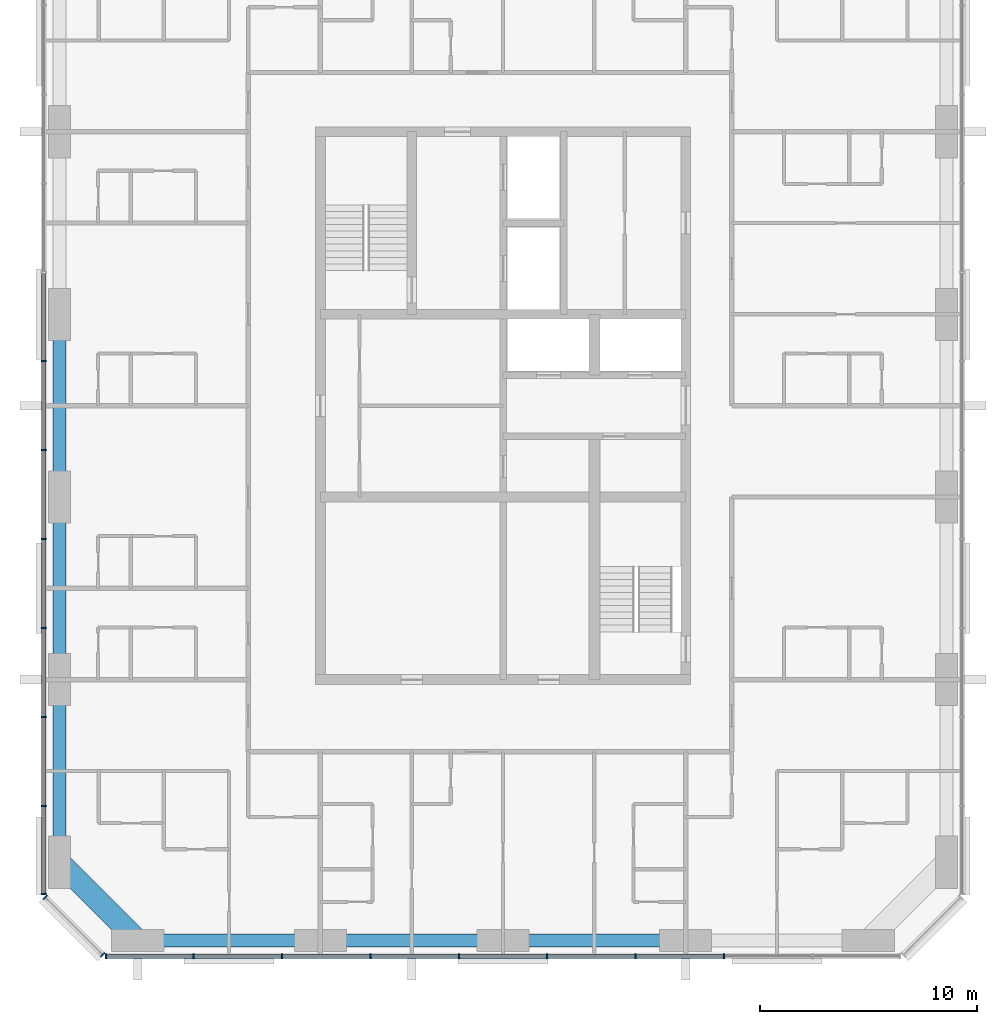
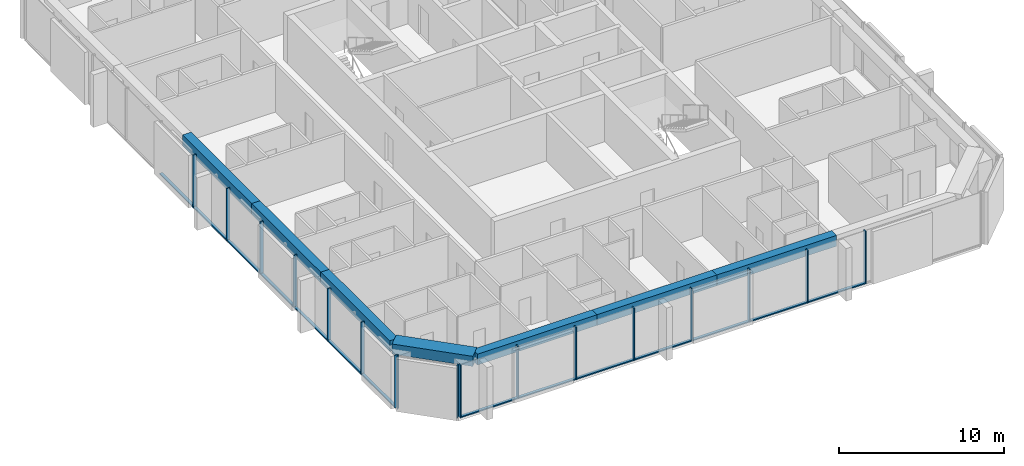
# One storey, part 2 of 13: 31 members, 7 beams, 3 elements without a shape of their own.
"""IFC4 building model written with IfcOpenShell, lengths in metres."""

from ifc_helpers import new_model, si_unit, direction, frame, origin, origin_2d, place, context, subcontext, project, spatial, rectangle, extrude, material, material_profile, profile_set, type_object, element, aggregate, save


model = new_model("IFC4")

# Units and contexts
model_context = context("Model", 3, precision=1e-05, world=origin(), true_north=direction((0.0, 1.0)))
body_context = subcontext(model_context, "Body", "Model", "MODEL_VIEW")
ifc_project = project(units=[si_unit("LENGTHUNIT", "METRE"), si_unit("AREAUNIT", "SQUARE_METRE"), si_unit("VOLUMEUNIT", "CUBIC_METRE"), si_unit("PLANEANGLEUNIT", "RADIAN"), si_unit("MASSUNIT", "GRAM", prefix="KILO")], contexts=[model_context])

# Site, building, storey
site_placement = place(None, origin())
site = spatial("IfcSite", under=ifc_project, at=site_placement, CompositionType="ELEMENT")
building_placement = place(site_placement, origin())
building = spatial("IfcBuilding", under=site, at=building_placement, Name="Dunama Terrace Hotel", CompositionType="ELEMENT")
storey_placement = place(building_placement, frame((0.0, 0.0, 280.199951171875)))
storey = spatial("IfcBuildingStorey", under=building, at=storey_placement, Name="L72", CompositionType="ELEMENT", Elevation=280.199951171875)

# Curtain wall, members
ifc_material_1 = material(Name="Aluminium curtain wall system", Category="aluminium")
curtain_wall_type = type_object("IfcCurtainWallType", Name="Unitised fritted glass wall CW-D", PredefinedType="NOTDEFINED", material=ifc_material_1)
curtain_wall_1_placement = place(storey_placement, origin())
curtain_wall_1 = element("IfcCurtainWall", 1, at=curtain_wall_1_placement, inside=storey, type_object=curtain_wall_type, Name="Unitised fritted glass wall CW-D L72", PredefinedType="NOTDEFINED")
ifc_material_2 = material(Name="Aluminium mullion", Category="aluminium")
ifc_material_profile_1 = material_profile(ifc_material_2, rectangle(XDim=0.070068359375, YDim=0.239990234375, at=origin_2d()), Name="CWD MULLION 70X240")
ifc_profile_set_1 = profile_set([ifc_material_profile_1], Name="Aluminium mullion")
member_type_1 = type_object("IfcMemberType", Name="CWD mullion 70x240", PredefinedType="MULLION", material=ifc_profile_set_1)
member_1_placement = place(storey_placement, frame((15.3349609375, 4.080078125, 0.0), z_axis=(0.0, 0.0, 1.0), x_axis=(1.0, 0.0, 0.0)))
member_1 = element("IfcMember", 2, at=member_1_placement, type_object=member_type_1, Name="CWD mullion", PredefinedType="MULLION", context=body_context, shape_type="SweptSolid", body=[
    extrude(rectangle(XDim=0.070068359375, YDim=0.239990234375, at=origin_2d()), origin(), (0.0, 0.0, 1.0), 3.900146484375),
])
member_2_placement = place(storey_placement, frame((19.366943359375, 4.080078125, 0.0), z_axis=(0.0, 0.0, 1.0), x_axis=(1.0, 0.0, 0.0)))
member_2 = element("IfcMember", 3, at=member_2_placement, type_object=member_type_1, Name="CWD mullion", PredefinedType="MULLION", context=body_context, shape_type="SweptSolid", body=[
    extrude(rectangle(XDim=0.070068359375, YDim=0.239990234375, at=origin_2d()), origin(), (0.0, 0.0, 1.0), 3.900146484375),
])
member_3_placement = place(storey_placement, frame((23.43310546875, 4.080078125, 0.0), z_axis=(0.0, 0.0, 1.0), x_axis=(1.0, 0.0, 0.0)))
member_3 = element("IfcMember", 4, at=member_3_placement, type_object=member_type_1, Name="CWD mullion", PredefinedType="MULLION", context=body_context, shape_type="SweptSolid", body=[
    extrude(rectangle(XDim=0.070068359375, YDim=0.239990234375, at=origin_2d()), origin(), (0.0, 0.0, 1.0), 3.900146484375),
])
member_4_placement = place(storey_placement, frame((27.5, 4.080078125, 0.0), z_axis=(0.0, 0.0, 1.0), x_axis=(1.0, 0.0, 0.0)))
member_4 = element("IfcMember", 5, at=member_4_placement, type_object=member_type_1, Name="CWD mullion", PredefinedType="MULLION", context=body_context, shape_type="SweptSolid", body=[
    extrude(rectangle(XDim=0.070068359375, YDim=0.239990234375, at=origin_2d()), origin(), (0.0, 0.0, 1.0), 3.900146484375),
])
member_5_placement = place(storey_placement, frame((31.56689453125, 4.080078125, 0.0), z_axis=(0.0, 0.0, 1.0), x_axis=(1.0, 0.0, 0.0)))
member_5 = element("IfcMember", 6, at=member_5_placement, type_object=member_type_1, Name="CWD mullion", PredefinedType="MULLION", context=body_context, shape_type="SweptSolid", body=[
    extrude(rectangle(XDim=0.070068359375, YDim=0.239990234375, at=origin_2d()), origin(), (0.0, 0.0, 1.0), 3.900146484375),
])
member_6_placement = place(storey_placement, frame((35.633056640625, 4.080078125, 0.0), z_axis=(0.0, 0.0, 1.0), x_axis=(1.0, 0.0, 0.0)))
member_6 = element("IfcMember", 7, at=member_6_placement, type_object=member_type_1, Name="CWD mullion", PredefinedType="MULLION", context=body_context, shape_type="SweptSolid", body=[
    extrude(rectangle(XDim=0.070068359375, YDim=0.239990234375, at=origin_2d()), origin(), (0.0, 0.0, 1.0), 3.900146484375),
])
member_7_placement = place(storey_placement, frame((39.699951171875, 4.080078125, 0.0), z_axis=(0.0, 0.0, 1.0), x_axis=(1.0, 0.0, 0.0)))
member_7 = element("IfcMember", 8, at=member_7_placement, type_object=member_type_1, Name="CWD mullion", PredefinedType="MULLION", context=body_context, shape_type="SweptSolid", body=[
    extrude(rectangle(XDim=0.070068359375, YDim=0.239990234375, at=origin_2d()), origin(), (0.0, 0.0, 1.0), 3.900146484375),
])
member_8_placement = place(storey_placement, frame((43.76708984375, 4.080078125, 0.0), z_axis=(0.0, 0.0, 1.0), x_axis=(1.0, 0.0, 0.0)))
member_8 = element("IfcMember", 9, at=member_8_placement, type_object=member_type_1, Name="CWD mullion", PredefinedType="MULLION", context=body_context, shape_type="SweptSolid", body=[
    extrude(rectangle(XDim=0.070068359375, YDim=0.239990234375, at=origin_2d()), origin(), (0.0, 0.0, 1.0), 3.900146484375),
])

curtain_wall_2_placement = place(storey_placement, origin())
curtain_wall_2 = element("IfcCurtainWall", 10, at=curtain_wall_2_placement, inside=storey, type_object=curtain_wall_type, Name="Unitised fritted glass wall CW-D L72", PredefinedType="NOTDEFINED")
member_9_placement = place(storey_placement, frame((12.47998046875, 31.445068359375, 0.0), z_axis=(0.0, 0.0, 1.0), x_axis=(0.0, -1.0, 0.0)))
member_9 = element("IfcMember", 11, at=member_9_placement, type_object=member_type_1, Name="CWD mullion", PredefinedType="MULLION", context=body_context, shape_type="SweptSolid", body=[
    extrude(rectangle(XDim=0.070068359375, YDim=0.239990234375, at=origin_2d()), origin(), (0.0, 0.0, 1.0), 3.900146484375),
])
member_10_placement = place(storey_placement, frame((12.47998046875, 27.35498046875, 0.0), z_axis=(0.0, 0.0, 1.0), x_axis=(0.0, -1.0, 0.0)))
member_10 = element("IfcMember", 12, at=member_10_placement, type_object=member_type_1, Name="CWD mullion", PredefinedType="MULLION", context=body_context, shape_type="SweptSolid", body=[
    extrude(rectangle(XDim=0.070068359375, YDim=0.239990234375, at=origin_2d()), origin(), (0.0, 0.0, 1.0), 3.900146484375),
])
member_11_placement = place(storey_placement, frame((12.47998046875, 23.263916015625, 0.0), z_axis=(0.0, 0.0, 1.0), x_axis=(0.0, -1.0, 0.0)))
member_11 = element("IfcMember", 13, at=member_11_placement, type_object=member_type_1, Name="CWD mullion", PredefinedType="MULLION", context=body_context, shape_type="SweptSolid", body=[
    extrude(rectangle(XDim=0.070068359375, YDim=0.239990234375, at=origin_2d()), origin(), (0.0, 0.0, 1.0), 3.900146484375),
])
member_12_placement = place(storey_placement, frame((12.47998046875, 19.173095703125, 0.0), z_axis=(0.0, 0.0, 1.0), x_axis=(0.0, -1.0, 0.0)))
member_12 = element("IfcMember", 14, at=member_12_placement, type_object=member_type_1, Name="CWD mullion", PredefinedType="MULLION", context=body_context, shape_type="SweptSolid", body=[
    extrude(rectangle(XDim=0.070068359375, YDim=0.239990234375, at=origin_2d()), origin(), (0.0, 0.0, 1.0), 3.900146484375),
])
member_13_placement = place(storey_placement, frame((12.47998046875, 15.08203125, 0.0), z_axis=(0.0, 0.0, 1.0), x_axis=(0.0, -1.0, 0.0)))
member_13 = element("IfcMember", 15, at=member_13_placement, type_object=member_type_1, Name="CWD mullion", PredefinedType="MULLION", context=body_context, shape_type="SweptSolid", body=[
    extrude(rectangle(XDim=0.070068359375, YDim=0.239990234375, at=origin_2d()), origin(), (0.0, 0.0, 1.0), 3.900146484375),
])
member_14_placement = place(storey_placement, frame((12.47998046875, 10.990966796875, 0.0), z_axis=(0.0, 0.0, 1.0), x_axis=(0.0, -1.0, 0.0)))
member_14 = element("IfcMember", 16, at=member_14_placement, type_object=member_type_1, Name="CWD mullion", PredefinedType="MULLION", context=body_context, shape_type="SweptSolid", body=[
    extrude(rectangle(XDim=0.070068359375, YDim=0.239990234375, at=origin_2d()), origin(), (0.0, 0.0, 1.0), 3.900146484375),
])
member_15_placement = place(storey_placement, frame((12.47998046875, 6.93505859375, 0.0), z_axis=(0.0, 0.0, 1.0), x_axis=(0.0, -1.0, 0.0)))
member_15 = element("IfcMember", 17, at=member_15_placement, type_object=member_type_1, Name="CWD mullion", PredefinedType="MULLION", context=body_context, shape_type="SweptSolid", body=[
    extrude(rectangle(XDim=0.070068359375, YDim=0.239990234375, at=origin_2d()), origin(), (0.0, 0.0, 1.0), 3.900146484375),
])

curtain_wall_3_placement = place(storey_placement, origin())
curtain_wall_3 = element("IfcCurtainWall", 18, at=curtain_wall_3_placement, inside=storey, type_object=curtain_wall_type, Name="Unitised fritted glass wall CW-D L72", PredefinedType="NOTDEFINED")
member_16_placement = place(storey_placement, frame((12.5400390625, 6.7900390625, 0.0), z_axis=(0.0, 0.0, 1.0), x_axis=(0.707106781187, -0.707106781187, 0.0)))
member_16 = element("IfcMember", 19, at=member_16_placement, type_object=member_type_1, Name="CWD mullion", PredefinedType="MULLION", context=body_context, shape_type="SweptSolid", body=[
    extrude(rectangle(XDim=0.070068359375, YDim=0.239990234375, at=origin_2d()), origin(), (0.0, 0.0, 1.0), 3.900146484375),
])
member_17_placement = place(storey_placement, frame((15.18994140625, 4.139892578125, 0.0), z_axis=(0.0, 0.0, 1.0), x_axis=(0.707106781187, -0.707106781187, 0.0)))
member_17 = element("IfcMember", 20, at=member_17_placement, type_object=member_type_1, Name="CWD mullion", PredefinedType="MULLION", context=body_context, shape_type="SweptSolid", body=[
    extrude(rectangle(XDim=0.070068359375, YDim=0.239990234375, at=origin_2d()), origin(), (0.0, 0.0, 1.0), 3.900146484375),
])
aggregate(curtain_wall_3, [member_16, member_17])

# Member
ifc_material_3 = material(Name="Aluminium transom", Category="aluminium")
ifc_material_profile_2 = material_profile(ifc_material_3, rectangle(XDim=0.199951171875, YDim=0.0849609375, at=origin_2d()), Name="CWD TRANSOM 200X85")
ifc_profile_set_2 = profile_set([ifc_material_profile_2], Name="Aluminium transom")
member_type_2 = type_object("IfcMemberType", Name="CWD transom 200x85", PredefinedType="USERDEFINED", material=ifc_profile_set_2)
member_18_placement = place(storey_placement, frame((15.3701171875, 4.080078125, 0.04248046875), z_axis=(1.0, 0.0, 0.0), x_axis=(0.0, 1.0, 0.0)))
member_18 = element("IfcMember", 21, at=member_18_placement, type_object=member_type_2, Name="CWD transom", ObjectType="TRANSOM", PredefinedType="USERDEFINED", context=body_context, shape_type="SweptSolid", body=[
    extrude(rectangle(XDim=0.199951171875, YDim=0.0849609375, at=origin_2d()), origin(), (0.0, 0.0, 1.0), 3.9619140625),
])

member_19_placement = place(storey_placement, frame((19.402099609375, 4.080078125, 0.04248046875), z_axis=(1.0, 0.0, 0.0), x_axis=(0.0, 1.0, 0.0)))
member_19 = element("IfcMember", 22, at=member_19_placement, type_object=member_type_2, Name="CWD transom", ObjectType="TRANSOM", PredefinedType="USERDEFINED", context=body_context, shape_type="SweptSolid", body=[
    extrude(rectangle(XDim=0.199951171875, YDim=0.0849609375, at=origin_2d()), origin(), (0.0, 0.0, 1.0), 3.995849609375),
])

member_20_placement = place(storey_placement, frame((23.468017578125, 4.080078125, 0.04248046875), z_axis=(1.0, 0.0, 0.0), x_axis=(0.0, 1.0, 0.0)))
member_20 = element("IfcMember", 23, at=member_20_placement, type_object=member_type_2, Name="CWD transom", ObjectType="TRANSOM", PredefinedType="USERDEFINED", context=body_context, shape_type="SweptSolid", body=[
    extrude(rectangle(XDim=0.199951171875, YDim=0.0849609375, at=origin_2d()), origin(), (0.0, 0.0, 1.0), 3.9970703125),
])

member_21_placement = place(storey_placement, frame((27.534912109375, 4.080078125, 0.04248046875), z_axis=(1.0, 0.0, 0.0), x_axis=(0.0, 1.0, 0.0)))
member_21 = element("IfcMember", 24, at=member_21_placement, type_object=member_type_2, Name="CWD transom", ObjectType="TRANSOM", PredefinedType="USERDEFINED", context=body_context, shape_type="SweptSolid", body=[
    extrude(rectangle(XDim=0.199951171875, YDim=0.0849609375, at=origin_2d()), origin(), (0.0, 0.0, 1.0), 3.9970703125),
])

member_22_placement = place(storey_placement, frame((31.60205078125, 4.080078125, 0.04248046875), z_axis=(1.0, 0.0, 0.0), x_axis=(0.0, 1.0, 0.0)))
member_22 = element("IfcMember", 25, at=member_22_placement, type_object=member_type_2, Name="CWD transom", ObjectType="TRANSOM", PredefinedType="USERDEFINED", context=body_context, shape_type="SweptSolid", body=[
    extrude(rectangle(XDim=0.199951171875, YDim=0.0849609375, at=origin_2d()), origin(), (0.0, 0.0, 1.0), 3.995849609375),
])

member_23_placement = place(storey_placement, frame((35.66796875, 4.080078125, 0.04248046875), z_axis=(1.0, 0.0, 0.0), x_axis=(0.0, 1.0, 0.0)))
member_23 = element("IfcMember", 26, at=member_23_placement, type_object=member_type_2, Name="CWD transom", ObjectType="TRANSOM", PredefinedType="USERDEFINED", context=body_context, shape_type="SweptSolid", body=[
    extrude(rectangle(XDim=0.199951171875, YDim=0.0849609375, at=origin_2d()), origin(), (0.0, 0.0, 1.0), 3.9970703125),
])

member_24_placement = place(storey_placement, frame((39.735107421875, 4.080078125, 0.04248046875), z_axis=(1.0, 0.0, 0.0), x_axis=(0.0, 1.0, 0.0)))
member_24 = element("IfcMember", 27, at=member_24_placement, type_object=member_type_2, Name="CWD transom", ObjectType="TRANSOM", PredefinedType="USERDEFINED", context=body_context, shape_type="SweptSolid", body=[
    extrude(rectangle(XDim=0.199951171875, YDim=0.0849609375, at=origin_2d()), origin(), (0.0, 0.0, 1.0), 3.996826171875),
])

aggregate(curtain_wall_1, [member_1, member_2, member_3, member_4, member_5, member_6, member_7, member_8, member_18, member_19, member_20, member_21, member_22, member_23, member_24])

member_25_placement = place(storey_placement, frame((12.47998046875, 35.5009765625, 0.04248046875), z_axis=(0.0, -1.0, 0.0), x_axis=(1.0, 0.0, 0.0)))
member_25 = element("IfcMember", 28, at=member_25_placement, type_object=member_type_2, Name="CWD transom", ObjectType="TRANSOM", PredefinedType="USERDEFINED", context=body_context, shape_type="SweptSolid", body=[
    extrude(rectangle(XDim=0.199951171875, YDim=0.0849609375, at=origin_2d()), origin(), (0.0, 0.0, 1.0), 4.02099609375),
])

member_26_placement = place(storey_placement, frame((12.47998046875, 31.409912109375, 0.04248046875), z_axis=(0.0, -1.0, 0.0), x_axis=(1.0, 0.0, 0.0)))
member_26 = element("IfcMember", 29, at=member_26_placement, type_object=member_type_2, Name="CWD transom", ObjectType="TRANSOM", PredefinedType="USERDEFINED", context=body_context, shape_type="SweptSolid", body=[
    extrude(rectangle(XDim=0.199951171875, YDim=0.0849609375, at=origin_2d()), origin(), (0.0, 0.0, 1.0), 4.02001953125),
])

member_27_placement = place(storey_placement, frame((12.47998046875, 27.320068359375, 0.04248046875), z_axis=(0.0, -1.0, 0.0), x_axis=(1.0, 0.0, 0.0)))
member_27 = element("IfcMember", 30, at=member_27_placement, type_object=member_type_2, Name="CWD transom", ObjectType="TRANSOM", PredefinedType="USERDEFINED", context=body_context, shape_type="SweptSolid", body=[
    extrude(rectangle(XDim=0.199951171875, YDim=0.0849609375, at=origin_2d()), origin(), (0.0, 0.0, 1.0), 4.02099609375),
])

member_28_placement = place(storey_placement, frame((12.47998046875, 23.22900390625, 0.04248046875), z_axis=(0.0, -1.0, 0.0), x_axis=(1.0, 0.0, 0.0)))
member_28 = element("IfcMember", 31, at=member_28_placement, type_object=member_type_2, Name="CWD transom", ObjectType="TRANSOM", PredefinedType="USERDEFINED", context=body_context, shape_type="SweptSolid", body=[
    extrude(rectangle(XDim=0.199951171875, YDim=0.0849609375, at=origin_2d()), origin(), (0.0, 0.0, 1.0), 4.02099609375),
])

member_29_placement = place(storey_placement, frame((12.47998046875, 19.137939453125, 0.04248046875), z_axis=(0.0, -1.0, 0.0), x_axis=(1.0, 0.0, 0.0)))
member_29 = element("IfcMember", 32, at=member_29_placement, type_object=member_type_2, Name="CWD transom", ObjectType="TRANSOM", PredefinedType="USERDEFINED", context=body_context, shape_type="SweptSolid", body=[
    extrude(rectangle(XDim=0.199951171875, YDim=0.0849609375, at=origin_2d()), origin(), (0.0, 0.0, 1.0), 4.02099609375),
])

member_30_placement = place(storey_placement, frame((12.47998046875, 15.047119140625, 0.04248046875), z_axis=(0.0, -1.0, 0.0), x_axis=(1.0, 0.0, 0.0)))
member_30 = element("IfcMember", 33, at=member_30_placement, type_object=member_type_2, Name="CWD transom", ObjectType="TRANSOM", PredefinedType="USERDEFINED", context=body_context, shape_type="SweptSolid", body=[
    extrude(rectangle(XDim=0.199951171875, YDim=0.0849609375, at=origin_2d()), origin(), (0.0, 0.0, 1.0), 4.021240234375),
])

member_31_placement = place(storey_placement, frame((12.47998046875, 10.9560546875, 0.04248046875), z_axis=(0.0, -1.0, 0.0), x_axis=(1.0, 0.0, 0.0)))
member_31 = element("IfcMember", 34, at=member_31_placement, type_object=member_type_2, Name="CWD transom", ObjectType="TRANSOM", PredefinedType="USERDEFINED", context=body_context, shape_type="SweptSolid", body=[
    extrude(rectangle(XDim=0.199951171875, YDim=0.0849609375, at=origin_2d()), origin(), (0.0, 0.0, 1.0), 3.986083984375),
])

aggregate(curtain_wall_2, [member_9, member_10, member_11, member_12, member_13, member_14, member_15, member_25, member_26, member_27, member_28, member_29, member_30, member_31])

# Beams
ifc_material_4 = material(Name="Concrete C50/60", Category="concrete")
ifc_material_profile_3 = material_profile(ifc_material_4, rectangle(XDim=1.0, YDim=0.75, at=origin_2d()), Name="RC 1000x750")
ifc_profile_set_3 = profile_set([ifc_material_profile_3], Name="Concrete C50/60")
beam_type_1 = type_object("IfcBeamType", Name="Edge beam RC 1000x750", PredefinedType="SPANDREL", material=ifc_profile_set_3)
beam_1_placement = place(storey_placement, frame((16.800048828125, 4.800048828125, 3.525146484375), z_axis=(-0.707130757816, 0.707082803744, 0.0), x_axis=(-0.707082803744, -0.707130757816, 0.0)))
element("IfcBeam", 35, at=beam_1_placement, inside=storey, type_object=beam_type_1, Name="Corner edge beam under L73", PredefinedType="SPANDREL", context=body_context, shape_type="SweptSolid", body=[
    extrude(rectangle(XDim=1.0, YDim=0.75, at=origin_2d()), origin(), (0.0, 0.0, 1.0), 5.091064453125),
])
ifc_material_5 = material(Name="Concrete C40/50", Category="concrete")
ifc_material_profile_4 = material_profile(ifc_material_5, rectangle(XDim=0.60009765625, YDim=0.800048828125, at=origin_2d()), Name="RC 600x800")
ifc_profile_set_4 = profile_set([ifc_material_profile_4], Name="Concrete C40/50")
beam_type_2 = type_object("IfcBeamType", Name="Edge beam RC 600x800", PredefinedType="SPANDREL", material=ifc_profile_set_4)
beam_2_placement = place(storey_placement, frame((13.199951171875, 8.39990234375, 3.5), z_axis=(0.0, 1.0, 0.0), x_axis=(-1.0, 0.0, 0.0)))
element("IfcBeam", 36, at=beam_2_placement, inside=storey, type_object=beam_type_2, Name="Edge beam under L73", PredefinedType="SPANDREL", context=body_context, shape_type="SweptSolid", body=[
    extrude(rectangle(XDim=0.60009765625, YDim=0.800048828125, at=origin_2d()), origin(), (0.0, 0.0, 1.0), 8.400146484375),
])
beam_3_placement = place(storey_placement, frame((13.199951171875, 16.800048828125, 3.5), z_axis=(0.0, 1.0, 0.0), x_axis=(-1.0, 0.0, 0.0)))
element("IfcBeam", 37, at=beam_3_placement, inside=storey, type_object=beam_type_2, Name="Edge beam under L73", PredefinedType="SPANDREL", context=body_context, shape_type="SweptSolid", body=[
    extrude(rectangle(XDim=0.60009765625, YDim=0.800048828125, at=origin_2d()), origin(), (0.0, 0.0, 1.0), 8.39990234375),
])
beam_4_placement = place(storey_placement, frame((13.199951171875, 25.199951171875, 3.5), z_axis=(0.0, 1.0, 0.0), x_axis=(-1.0, 0.0, 0.0)))
element("IfcBeam", 38, at=beam_4_placement, inside=storey, type_object=beam_type_2, Name="Edge beam under L73", PredefinedType="SPANDREL", context=body_context, shape_type="SweptSolid", body=[
    extrude(rectangle(XDim=0.60009765625, YDim=0.800048828125, at=origin_2d()), origin(), (0.0, 0.0, 1.0), 8.400146484375),
])
beam_5_placement = place(storey_placement, frame((16.800048828125, 4.800048828125, 3.5), z_axis=(1.0, 0.0, 0.0), x_axis=(0.0, 1.0, 0.0)))
element("IfcBeam", 39, at=beam_5_placement, inside=storey, type_object=beam_type_2, Name="Edge beam under L73", PredefinedType="SPANDREL", context=body_context, shape_type="SweptSolid", body=[
    extrude(rectangle(XDim=0.60009765625, YDim=0.800048828125, at=origin_2d()), origin(), (0.0, 0.0, 1.0), 8.39990234375),
])
beam_6_placement = place(storey_placement, frame((25.199951171875, 4.800048828125, 3.5), z_axis=(1.0, 0.0, 0.0), x_axis=(0.0, 1.0, 0.0)))
element("IfcBeam", 40, at=beam_6_placement, inside=storey, type_object=beam_type_2, Name="Edge beam under L73", PredefinedType="SPANDREL", context=body_context, shape_type="SweptSolid", body=[
    extrude(rectangle(XDim=0.60009765625, YDim=0.800048828125, at=origin_2d()), origin(), (0.0, 0.0, 1.0), 8.400146484375),
])
beam_7_placement = place(storey_placement, frame((33.60009765625, 4.800048828125, 3.5), z_axis=(1.0, 0.0, 0.0), x_axis=(0.0, 1.0, 0.0)))
element("IfcBeam", 41, at=beam_7_placement, inside=storey, type_object=beam_type_2, Name="Edge beam under L73", PredefinedType="SPANDREL", context=body_context, shape_type="SweptSolid", body=[
    extrude(rectangle(XDim=0.60009765625, YDim=0.800048828125, at=origin_2d()), origin(), (0.0, 0.0, 1.0), 8.39990234375),
])

save(model, "model.ifc")
